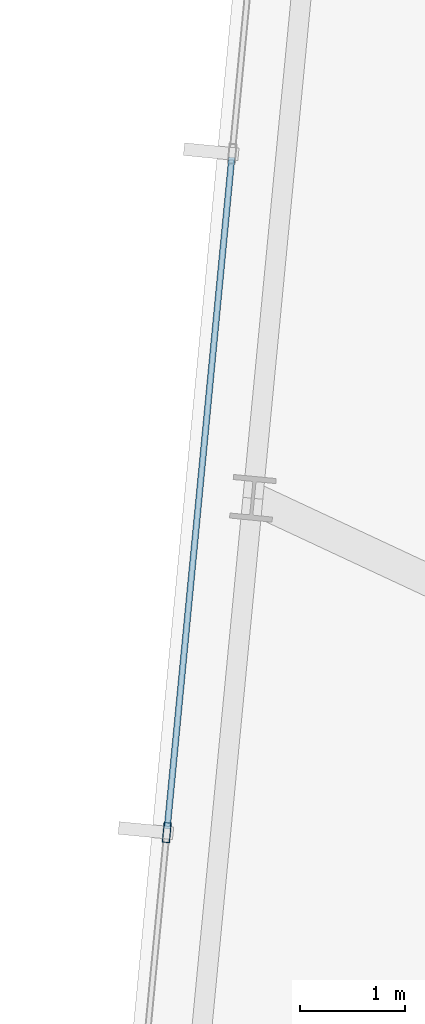
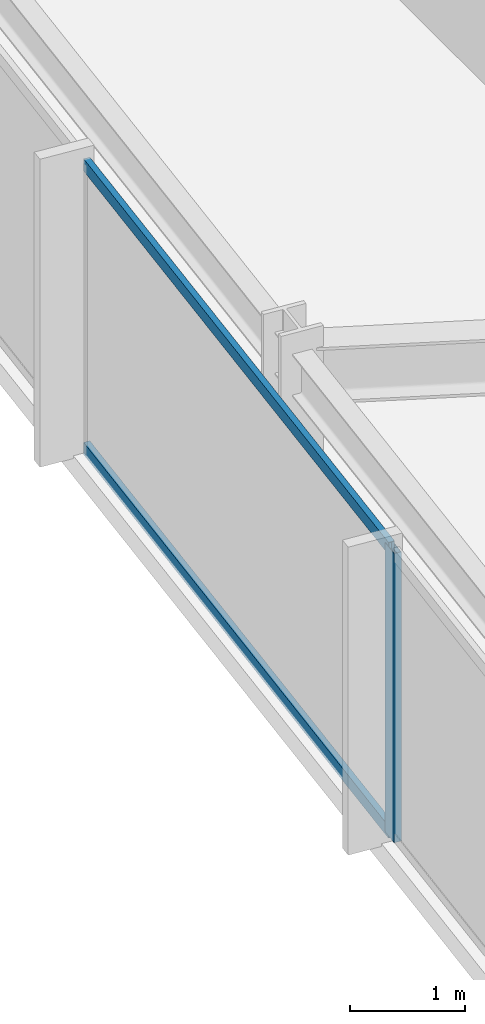
# One storey, part 8 of 38: 3 members, 1 element without a shape of its own.
"""IFC4 building model written with IfcOpenShell, lengths in metres."""

from ifc_helpers import new_model, si_unit, direction, frame, origin, origin_2d, place, context, subcontext, project, spatial, hollow_rectangle, extrude, material, material_profile, profile_set, type_object, element, aggregate, save


model = new_model("IFC4")

# Units and contexts
model_context = context("Model", 3, precision=1e-05, world=origin(), true_north=direction((0.0, 1.0)))
body_context = subcontext(model_context, "Body", "Model", "MODEL_VIEW")
ifc_project = project(units=[si_unit("LENGTHUNIT", "METRE"), si_unit("AREAUNIT", "SQUARE_METRE"), si_unit("VOLUMEUNIT", "CUBIC_METRE"), si_unit("PLANEANGLEUNIT", "RADIAN"), si_unit("MASSUNIT", "GRAM", prefix="KILO")], contexts=[model_context])

# Site, building, storey
site_placement = place(None, origin())
site = spatial("IfcSite", under=ifc_project, at=site_placement, CompositionType="ELEMENT")
building_placement = place(site_placement, origin())
building = spatial("IfcBuilding", under=site, at=building_placement, Name="Yelkora Congress Tower", CompositionType="ELEMENT")
storey_placement = place(building_placement, frame((0.0, 0.0, 172.10009765625)))
storey = spatial("IfcBuildingStorey", under=building, at=storey_placement, Name="L47", CompositionType="ELEMENT", Elevation=172.10009765625)

# Curtain wall, members
ifc_material_1 = material(Name="Anodised aluminium and insulated glass", Category="aluminium")
curtain_wall_type = type_object("IfcCurtainWallType", Name="CW-SYS-B3", PredefinedType="NOTDEFINED", material=ifc_material_1)
curtain_wall_placement = place(storey_placement, origin())
curtain_wall = element("IfcCurtainWall", 1, at=curtain_wall_placement, inside=storey, type_object=curtain_wall_type, Name="L47 Unitised Curtain Wall 5", PredefinedType="NOTDEFINED")
ifc_material_2 = material(Name="Anodised aluminium 6063-T6", Category="aluminium")
ifc_material_profile_1 = material_profile(ifc_material_2, hollow_rectangle(XDim=0.070068359375, YDim=0.18994140625, WallThickness=0.00390625, at=origin_2d()), Name="ALU 70x190x4")
ifc_profile_set_1 = profile_set([ifc_material_profile_1], Name="Anodised aluminium 6063-T6")
member_type_1 = type_object("IfcMemberType", Name="MEM-ML-B3", PredefinedType="MULLION", material=ifc_profile_set_1)
member_1_placement = place(storey_placement, frame((2.546142578125, 29.416259765625, 0.0), z_axis=(0.0, 0.0, 1.0), x_axis=(-0.995396242473, 0.095845294465, 0.0)))
member_1 = element("IfcMember", 2, at=member_1_placement, type_object=member_type_1, Name="CW-B3 mullion 3", PredefinedType="MULLION", context=body_context, shape_type="SweptSolid", body=[
    extrude(hollow_rectangle(XDim=0.070068359375, YDim=0.18994140625, WallThickness=0.00390625, at=origin_2d()), origin(), (0.0, 0.0, 1.0), 3.079833984375),
])
ifc_material_profile_2 = material_profile(ifc_material_2, hollow_rectangle(XDim=0.06005859375, YDim=0.1298828125, WallThickness=0.00390625, at=origin_2d()), Name="ALU 60x130x4")
ifc_profile_set_2 = profile_set([ifc_material_profile_2], Name="Anodised aluminium 6063-T6")
member_type_2 = type_object("IfcMemberType", Name="MEM-TR-B3", PredefinedType="USERDEFINED", material=ifc_profile_set_2)
member_2_placement = place(storey_placement, frame((2.549560546875, 29.450927734375, 0.02978515625), z_axis=(0.095843682057, 0.995396397728, 0.0), x_axis=(-0.995396397728, 0.095843682057, 0.0)))
member_2 = element("IfcMember", 3, at=member_2_placement, type_object=member_type_2, Name="CW-B3 transom 3.1", ObjectType="TRANSOM", PredefinedType="USERDEFINED", context=body_context, shape_type="SweptSolid", body=[
    extrude(hollow_rectangle(XDim=0.06005859375, YDim=0.1298828125, WallThickness=0.00390625, at=origin_2d()), origin(), (0.0, 0.0, 1.0), 6.4140625),
])
member_3_placement = place(storey_placement, frame((2.549560546875, 29.450927734375, 3.0498046875), z_axis=(0.095843682057, 0.995396397728, 0.0), x_axis=(-0.995396397728, 0.095843682057, 0.0)))
member_3 = element("IfcMember", 4, at=member_3_placement, type_object=member_type_2, Name="CW-B3 transom 3.2", ObjectType="TRANSOM", PredefinedType="USERDEFINED", context=body_context, shape_type="SweptSolid", body=[
    extrude(hollow_rectangle(XDim=0.06005859375, YDim=0.1298828125, WallThickness=0.00390625, at=origin_2d()), origin(), (0.0, 0.0, 1.0), 6.4140625),
])
aggregate(curtain_wall, [member_1, member_2, member_3])

save(model, "model.ifc")
